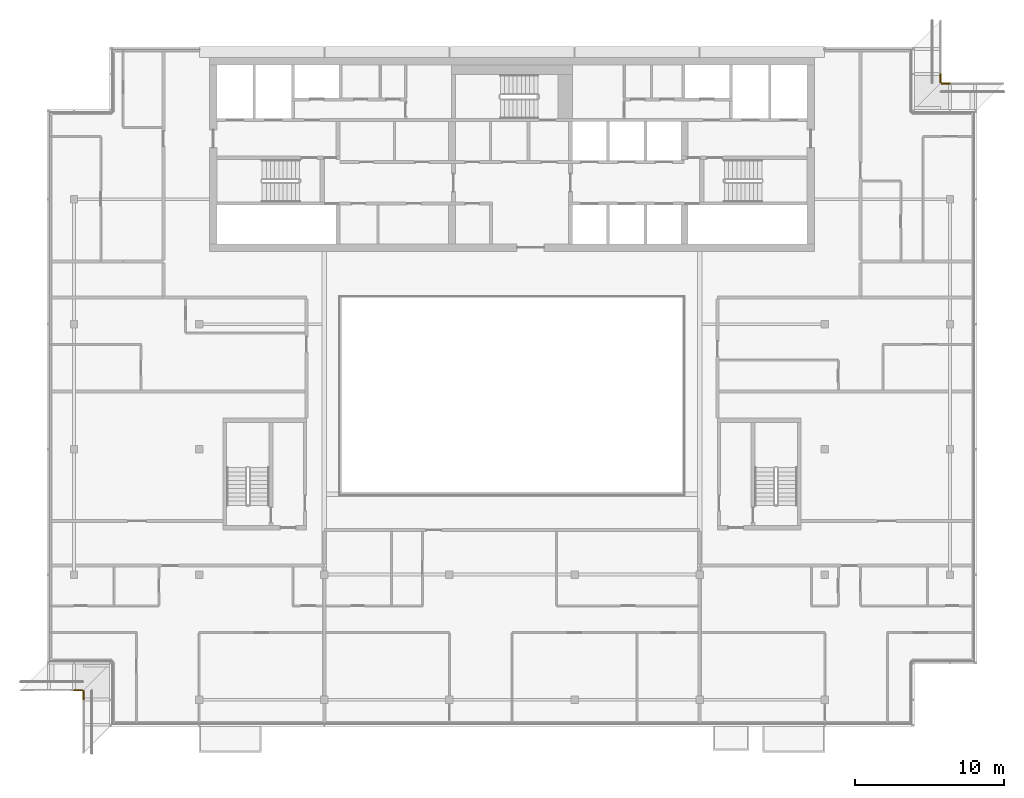
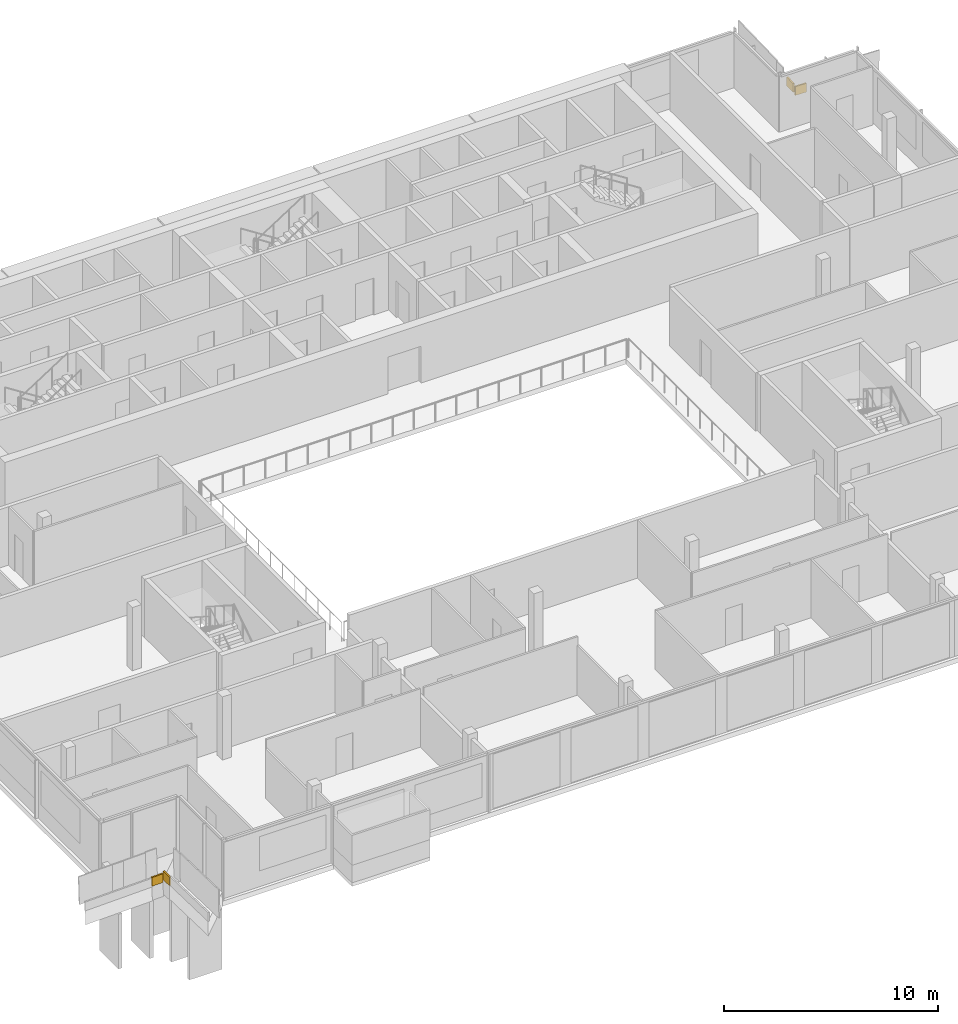
# One storey, part 24 of 24: 4 coverings.
"""IFC4 building model written with IfcOpenShell, lengths in metres."""

from ifc_helpers import new_model, si_unit, direction, frame, origin, place, context, subcontext, project, spatial, polyline, outline, extrude, material, layer, layer_set, type_object, element, save


model = new_model("IFC4")

# Units and contexts
model_context = context("Model", 3, precision=1e-05, world=origin(), true_north=direction((0.0, 1.0)))
body_context = subcontext(model_context, "Body", "Model", "MODEL_VIEW")
ifc_project = project(units=[si_unit("LENGTHUNIT", "METRE"), si_unit("AREAUNIT", "SQUARE_METRE"), si_unit("VOLUMEUNIT", "CUBIC_METRE"), si_unit("PLANEANGLEUNIT", "RADIAN"), si_unit("MASSUNIT", "GRAM", prefix="KILO")], contexts=[model_context])

# Site, building, storey
site_placement = place(None, origin())
site = spatial("IfcSite", under=ifc_project, at=site_placement, CompositionType="ELEMENT")
building_placement = place(site_placement, origin())
building = spatial("IfcBuilding", under=site, at=building_placement, Name="Saffron Gate Tower", CompositionType="ELEMENT")
storey_placement = place(building_placement, frame((0.0, 0.0, 281.550048828125)))
storey = spatial("IfcBuildingStorey", under=building, at=storey_placement, Name="L68", CompositionType="ELEMENT", Elevation=281.550048828125)

# Coverings
ifc_material = material(Name="Timber, thermally modified ash", Category="wood")
ifc_layer = layer(ifc_material, 0.080078125)
ifc_layer_set = layer_set([ifc_layer], Name="LD2 ledge planter trough")
covering_type = type_object("IfcCoveringType", Name="LD2 ledge planter trough", PredefinedType="CLADDING", material=ifc_layer_set)
covering_1_placement = place(storey_placement, frame((58.199951171875, 32.39990234375, 0.238525390625), z_axis=(0.0, -1.0, 0.0), x_axis=(0.999594735783, 0.0, 0.028466896463)))
element("IfcCovering", 1, at=covering_1_placement, inside=storey, type_object=covering_type, Name="LEDGE planter trough", PredefinedType="CLADDING", context=body_context, shape_type="SweptSolid", body=[
    extrude(outline(polyline([(0.0, 0.0), (0.6003409529560203, 0.0), (0.6145744011872722, 0.499797367891677), (0.014233448231251987, 0.49979736789167695), (0.0, 0.0)])), origin(), (0.0, 0.0, -1.0), 0.080078125),
])
covering_2_placement = place(storey_placement, frame((58.800048828125, 32.39990234375, 0.406494140625), z_axis=(-1.0, 0.0, 0.0), x_axis=(0.0, -0.999582742162, 0.028884971385)))
element("IfcCovering", 2, at=covering_2_placement, inside=storey, type_object=covering_type, Name="LEDGE planter trough", PredefinedType="CLADDING", context=body_context, shape_type="SweptSolid", body=[
    extrude(outline(polyline([(0.0, 0.0), (0.6001039136866089, 0.0), (0.614546399379222, 0.4997913710809928), (0.014442485692613144, 0.49979137108099286), (0.0, 0.0)])), origin(), (0.0, 0.0, -1.0), 0.080078125),
])
covering_3_placement = place(storey_placement, frame((117.0, 73.199951171875, 0.238525390625), z_axis=(0.0, 1.0, 0.0), x_axis=(-0.999594735783, 0.0, 0.028466896463)))
element("IfcCovering", 3, at=covering_3_placement, inside=storey, type_object=covering_type, Name="LEDGE planter trough", PredefinedType="CLADDING", context=body_context, shape_type="SweptSolid", body=[
    extrude(outline(polyline([(0.0, 0.0), (0.6003409529560203, 0.0), (0.6145744011872722, 0.499797367891677), (0.014233448231251987, 0.49979736789167695), (0.0, 0.0)])), origin(), (0.0, 0.0, -1.0), 0.080078125),
])
covering_4_placement = place(storey_placement, frame((116.39990234375, 73.199951171875, 0.406494140625), z_axis=(1.0, 0.0, 0.0), x_axis=(0.0, 0.999583081391, 0.028873229772)))
element("IfcCovering", 4, at=covering_4_placement, inside=storey, type_object=covering_type, Name="LEDGE planter trough", PredefinedType="CLADDING", context=body_context, shape_type="SweptSolid", body=[
    extrude(outline(polyline([(0.0, 0.0), (0.6003479524834376, -3.469446951953614e-18), (0.6147845673692678, 0.4997915406953566), (0.014436614885830073, 0.4997915406953566), (0.0, 0.0)])), origin(), (0.0, 0.0, -1.0), 0.080078125),
])

save(model, "model.ifc")
